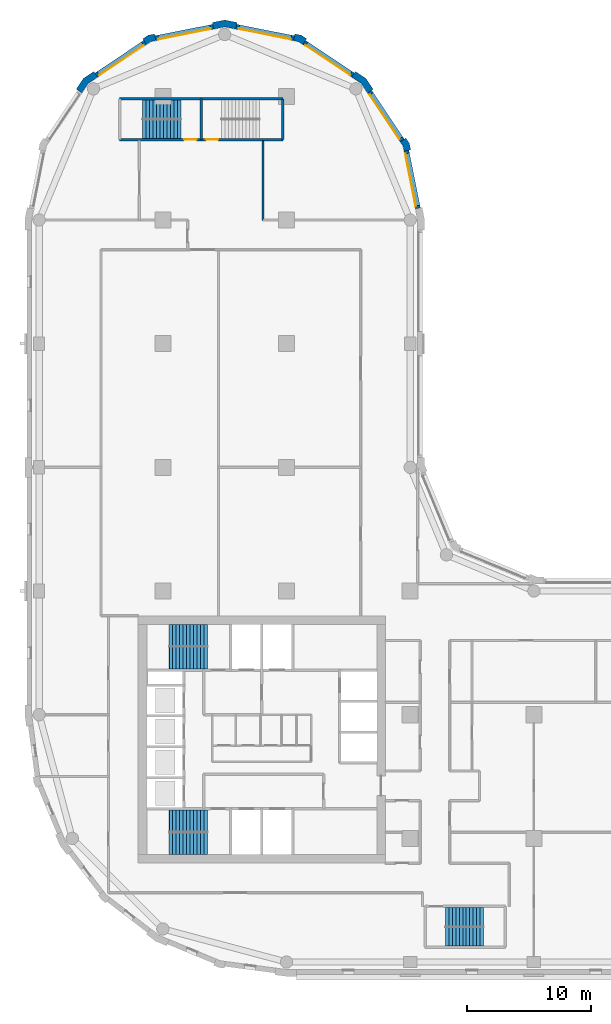
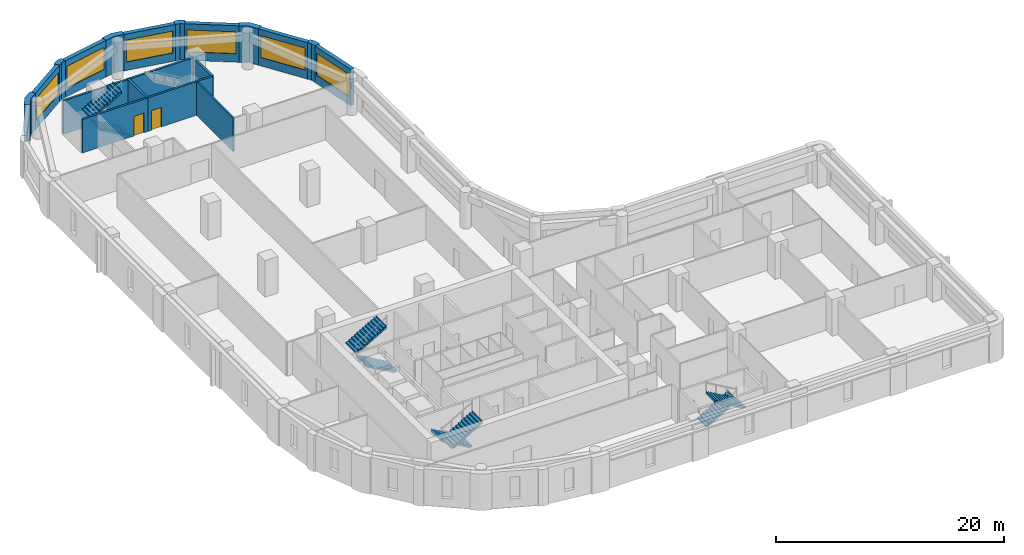
# One storey, part 7 of 10: 19 walls, 8 stair flights, 6 windows, 2 doors, 8 openings, 4 elements without a shape of their own.
"""IFC4 building model written with IfcOpenShell, lengths in metres."""

from ifc_helpers import new_model, si_unit, direction, frame, frame_2d, origin, place, context, subcontext, project, spatial, polyline, rectangle, outline, extrude, material, layer, layer_set, type_object, element, fill, aggregate, save


model = new_model("IFC4")

# Units and contexts
model_context = context("Model", 3, precision=1e-05, world=origin(), true_north=direction((0.0, 1.0)))
body_context = subcontext(model_context, "Body", "Model", "MODEL_VIEW")
ifc_project = project(units=[si_unit("LENGTHUNIT", "METRE"), si_unit("AREAUNIT", "SQUARE_METRE"), si_unit("VOLUMEUNIT", "CUBIC_METRE"), si_unit("PLANEANGLEUNIT", "RADIAN"), si_unit("MASSUNIT", "GRAM", prefix="KILO")], contexts=[model_context])

# Site, building, storey
site_placement = place(None, origin())
site = spatial("IfcSite", under=ifc_project, at=site_placement, CompositionType="ELEMENT")
building_placement = place(site_placement, origin())
building = spatial("IfcBuilding", under=site, at=building_placement, Name="Qaws Garden Tower", CompositionType="ELEMENT")
storey_placement = place(building_placement, frame((0.0, 0.0, 178.5)))
storey = spatial("IfcBuildingStorey", under=building, at=storey_placement, Name="L43", CompositionType="ELEMENT", Elevation=178.5)

# Wall, opening, window
ifc_material_1 = material(Name="Clay facing brick masonry", Category="masonry")
ifc_layer_1 = layer(ifc_material_1, 0.39990234375)
ifc_layer_set_1 = layer_set([ifc_layer_1], Name="Clay facing brick masonry")
wall_type_1 = type_object("IfcWallType", Name="Brick infill wall 400", PredefinedType="SOLIDWALL", material=ifc_layer_set_1)
wall_1_placement = place(storey_placement, frame((30.628662109375, 60.940673828125, 0.0), z_axis=(0.0, 0.0, 1.0), x_axis=(-0.195098533057, 0.98078364709, 0.0)))
wall_1 = element("IfcWall", 1, at=wall_1_placement, inside=storey, type_object=wall_type_1, Name="E-L43-infill-13", PredefinedType="SOLIDWALL", context=body_context, shape_type="SweptSolid", body=[
    extrude(rectangle(XDim=4.752685546875, YDim=0.39990234375, at=frame_2d((2.37646484375, 0.0))), origin(), (0.0, 0.0, 1.0), 3.89990234375),
])
opening_1_placement = place(wall_1_placement, frame((0.226318359375, 0.0, 0.89990234375)))
opening_1 = element("IfcOpeningElement", 2, at=opening_1_placement, cuts=wall_1, Name="Opening W06", PredefinedType="OPENING", context=body_context, shape_type="SweptSolid", body=[
    extrude(rectangle(XDim=4.300048828125, YDim=2.35009765625, at=frame_2d((2.14990234375, 1.175048828125))), frame((0.0, 0.2099609375, 0.0), z_axis=(0.0, -1.0, 0.0), x_axis=(1.0, 0.0, 0.0)), (0.0, 0.0, 1.0), 0.419921875),
])
ifc_material_2 = material(Name="Aluminium framed window, clear glazing", Category="aluminium")
window_type = type_object("IfcWindowType", Name="Ribbon window 4300 x 2350", PartitioningType="DOUBLE_PANEL_VERTICAL", PredefinedType="WINDOW", material=ifc_material_2)
window_1_placement = place(opening_1_placement, origin())
window_1 = element("IfcWindow", 3, at=window_1_placement, inside=storey, type_object=window_type, Name="E-L43-window-13-0", OverallHeight=2.35009765625, OverallWidth=4.300048828125, PartitioningType="SINGLE_PANEL", PredefinedType="WINDOW", context=body_context, shape_type="SweptSolid", body=[
    extrude(rectangle(XDim=4.300048828125, YDim=2.35009765625, at=frame_2d((2.14990234375, 1.175048828125))), frame((0.0, 0.159912109375, 0.0), z_axis=(0.0, -1.0, 0.0), x_axis=(1.0, 0.0, 0.0)), (0.0, 0.0, 1.0), 0.06005859375),
])
fill(opening_1, window_1)

wall_2_placement = place(storey_placement, frame((29.356689453125, 66.43408203125, 0.0), z_axis=(0.0, 0.0, 1.0), x_axis=(-0.555541552266, 0.831488775454, 0.0)))
wall_2 = element("IfcWall", 4, at=wall_2_placement, inside=storey, type_object=wall_type_1, Name="E-L43-infill-14", PredefinedType="SOLIDWALL", context=body_context, shape_type="SweptSolid", body=[
    extrude(rectangle(XDim=4.752685546875, YDim=0.39990234375, at=frame_2d((2.37646484375, 0.0))), origin(), (0.0, 0.0, 1.0), 3.89990234375),
])
opening_2_placement = place(wall_2_placement, frame((0.226318359375, 0.0, 0.89990234375)))
opening_2 = element("IfcOpeningElement", 5, at=opening_2_placement, cuts=wall_2, Name="Opening W06", PredefinedType="OPENING", context=body_context, shape_type="SweptSolid", body=[
    extrude(rectangle(XDim=4.300048828125, YDim=2.35009765625, at=frame_2d((2.14990234375, 1.175048828125))), frame((0.0, 0.2099609375, 0.0), z_axis=(0.0, -1.0, 0.0), x_axis=(1.0, 0.0, 0.0)), (0.0, 0.0, 1.0), 0.419921875),
])
window_2_placement = place(opening_2_placement, origin())
window_2 = element("IfcWindow", 6, at=window_2_placement, inside=storey, type_object=window_type, Name="E-L43-window-14-0", OverallHeight=2.35009765625, OverallWidth=4.300048828125, PartitioningType="SINGLE_PANEL", PredefinedType="WINDOW", context=body_context, shape_type="SweptSolid", body=[
    extrude(rectangle(XDim=4.300048828125, YDim=2.35009765625, at=frame_2d((2.14990234375, 1.175048828125))), frame((0.0, 0.159912109375, 0.0), z_axis=(0.0, -1.0, 0.0), x_axis=(1.0, 0.0, 0.0)), (0.0, 0.0, 1.0), 0.06005859375),
])
fill(opening_2, window_2)

wall_3_placement = place(storey_placement, frame((25.385986328125, 71.71630859375, 0.0), z_axis=(0.0, 0.0, 1.0), x_axis=(-0.831488775454, 0.555541552266, 0.0)))
wall_3 = element("IfcWall", 7, at=wall_3_placement, inside=storey, type_object=wall_type_1, Name="E-L43-infill-15", PredefinedType="SOLIDWALL", context=body_context, shape_type="SweptSolid", body=[
    extrude(rectangle(XDim=4.752685546875, YDim=0.39990234375, at=frame_2d((2.37646484375, 0.0))), origin(), (0.0, 0.0, 1.0), 3.89990234375),
])
opening_3_placement = place(wall_3_placement, frame((0.226318359375, 0.0, 0.89990234375)))
opening_3 = element("IfcOpeningElement", 8, at=opening_3_placement, cuts=wall_3, Name="Opening W06", PredefinedType="OPENING", context=body_context, shape_type="SweptSolid", body=[
    extrude(rectangle(XDim=4.300048828125, YDim=2.35009765625, at=frame_2d((2.14990234375, 1.175048828125))), frame((0.0, 0.2099609375, 0.0), z_axis=(0.0, -1.0, 0.0), x_axis=(1.0, 0.0, 0.0)), (0.0, 0.0, 1.0), 0.419921875),
])
window_3_placement = place(opening_3_placement, origin())
window_3 = element("IfcWindow", 9, at=window_3_placement, inside=storey, type_object=window_type, Name="E-L43-window-15-0", OverallHeight=2.35009765625, OverallWidth=4.300048828125, PartitioningType="SINGLE_PANEL", PredefinedType="WINDOW", context=body_context, shape_type="SweptSolid", body=[
    extrude(rectangle(XDim=4.300048828125, YDim=2.35009765625, at=frame_2d((2.14990234375, 1.175048828125))), frame((0.0, 0.159912109375, 0.0), z_axis=(0.0, -1.0, 0.0), x_axis=(1.0, 0.0, 0.0)), (0.0, 0.0, 1.0), 0.06005859375),
])
fill(opening_3, window_3)

wall_4_placement = place(storey_placement, frame((20.60205078125, 74.701416015625, 0.0), z_axis=(0.0, 0.0, 1.0), x_axis=(-0.98078364709, 0.195098533057, 0.0)))
wall_4 = element("IfcWall", 10, at=wall_4_placement, inside=storey, type_object=wall_type_1, Name="E-L43-infill-16", PredefinedType="SOLIDWALL", context=body_context, shape_type="SweptSolid", body=[
    extrude(rectangle(XDim=4.752685546875, YDim=0.39990234375, at=frame_2d((2.37646484375, 0.0))), origin(), (0.0, 0.0, 1.0), 3.89990234375),
])
opening_4_placement = place(wall_4_placement, frame((0.226318359375, 0.0, 0.89990234375)))
opening_4 = element("IfcOpeningElement", 11, at=opening_4_placement, cuts=wall_4, Name="Opening W06", PredefinedType="OPENING", context=body_context, shape_type="SweptSolid", body=[
    extrude(rectangle(XDim=4.300048828125, YDim=2.35009765625, at=frame_2d((2.14990234375, 1.175048828125))), frame((0.0, 0.2099609375, 0.0), z_axis=(0.0, -1.0, 0.0), x_axis=(1.0, 0.0, 0.0)), (0.0, 0.0, 1.0), 0.419921875),
])
window_4_placement = place(opening_4_placement, origin())
window_4 = element("IfcWindow", 12, at=window_4_placement, inside=storey, type_object=window_type, Name="E-L43-window-16-0", OverallHeight=2.35009765625, OverallWidth=4.300048828125, PartitioningType="SINGLE_PANEL", PredefinedType="WINDOW", context=body_context, shape_type="SweptSolid", body=[
    extrude(rectangle(XDim=4.300048828125, YDim=2.35009765625, at=frame_2d((2.14990234375, 1.175048828125))), frame((0.0, 0.159912109375, 0.0), z_axis=(0.0, -1.0, 0.0), x_axis=(1.0, 0.0, 0.0)), (0.0, 0.0, 1.0), 0.06005859375),
])
fill(opening_4, window_4)

wall_5_placement = place(storey_placement, frame((14.059326171875, 75.628662109375, 0.0), z_axis=(0.0, 0.0, 1.0), x_axis=(-0.98078364709, -0.195098533057, 0.0)))
wall_5 = element("IfcWall", 13, at=wall_5_placement, inside=storey, type_object=wall_type_1, Name="E-L43-infill-17", PredefinedType="SOLIDWALL", context=body_context, shape_type="SweptSolid", body=[
    extrude(rectangle(XDim=4.752685546875, YDim=0.39990234375, at=frame_2d((2.37646484375, 0.0))), origin(), (0.0, 0.0, 1.0), 3.89990234375),
])
opening_5_placement = place(wall_5_placement, frame((0.226318359375, 0.0, 0.89990234375)))
opening_5 = element("IfcOpeningElement", 14, at=opening_5_placement, cuts=wall_5, Name="Opening W06", PredefinedType="OPENING", context=body_context, shape_type="SweptSolid", body=[
    extrude(rectangle(XDim=4.300048828125, YDim=2.35009765625, at=frame_2d((2.14990234375, 1.175048828125))), frame((0.0, 0.2099609375, 0.0), z_axis=(0.0, -1.0, 0.0), x_axis=(1.0, 0.0, 0.0)), (0.0, 0.0, 1.0), 0.419921875),
])
window_5_placement = place(opening_5_placement, origin())
window_5 = element("IfcWindow", 15, at=window_5_placement, inside=storey, type_object=window_type, Name="E-L43-window-17-0", OverallHeight=2.35009765625, OverallWidth=4.300048828125, PartitioningType="SINGLE_PANEL", PredefinedType="WINDOW", context=body_context, shape_type="SweptSolid", body=[
    extrude(rectangle(XDim=4.300048828125, YDim=2.35009765625, at=frame_2d((2.14990234375, 1.175048828125))), frame((0.0, 0.159912109375, 0.0), z_axis=(0.0, -1.0, 0.0), x_axis=(1.0, 0.0, 0.0)), (0.0, 0.0, 1.0), 0.06005859375),
])
fill(opening_5, window_5)

wall_6_placement = place(storey_placement, frame((8.56591796875, 74.356689453125, 0.0), z_axis=(0.0, 0.0, 1.0), x_axis=(-0.831488775454, -0.555541552266, 0.0)))
wall_6 = element("IfcWall", 16, at=wall_6_placement, inside=storey, type_object=wall_type_1, Name="E-L43-infill-18", PredefinedType="SOLIDWALL", context=body_context, shape_type="SweptSolid", body=[
    extrude(rectangle(XDim=4.752685546875, YDim=0.39990234375, at=frame_2d((2.37646484375, 0.0))), origin(), (0.0, 0.0, 1.0), 3.89990234375),
])
opening_6_placement = place(wall_6_placement, frame((0.226318359375, 0.0, 0.89990234375)))
opening_6 = element("IfcOpeningElement", 17, at=opening_6_placement, cuts=wall_6, Name="Opening W06", PredefinedType="OPENING", context=body_context, shape_type="SweptSolid", body=[
    extrude(rectangle(XDim=4.300048828125, YDim=2.35009765625, at=frame_2d((2.14990234375, 1.175048828125))), frame((0.0, 0.2099609375, 0.0), z_axis=(0.0, -1.0, 0.0), x_axis=(1.0, 0.0, 0.0)), (0.0, 0.0, 1.0), 0.419921875),
])
window_6_placement = place(opening_6_placement, origin())
window_6 = element("IfcWindow", 18, at=window_6_placement, inside=storey, type_object=window_type, Name="E-L43-window-18-0", OverallHeight=2.35009765625, OverallWidth=4.300048828125, PartitioningType="SINGLE_PANEL", PredefinedType="WINDOW", context=body_context, shape_type="SweptSolid", body=[
    extrude(rectangle(XDim=4.300048828125, YDim=2.35009765625, at=frame_2d((2.14990234375, 1.175048828125))), frame((0.0, 0.159912109375, 0.0), z_axis=(0.0, -1.0, 0.0), x_axis=(1.0, 0.0, 0.0)), (0.0, 0.0, 1.0), 0.06005859375),
])
fill(opening_6, window_6)

# Walls
ifc_material_3 = material(Name="Clay facing brick masonry", Category="masonry")
ifc_layer_2 = layer(ifc_material_3, 0.550048828125)
ifc_layer_set_2 = layer_set([ifc_layer_2], Name="Clay facing brick masonry")
wall_type_2 = type_object("IfcWallType", Name="Brick kink pier 550 x 600", PredefinedType="SOLIDWALL", material=ifc_layer_set_2)
placement = place(storey_placement, origin())
element("IfcWall", 19, at=placement, inside=storey, type_object=wall_type_2, Name="E-L43-pier-14", PredefinedType="SOLIDWALL", context=body_context, shape_type="SweptSolid", body=[
    extrude(outline(polyline([(29.8974609375, 65.64111328125), (30.044677734375, 65.67041015625), (29.94140625, 66.18896484375), (29.647705078125, 66.628662109375), (29.52294921875, 66.545166015625), (29.1904296875, 66.322998046875), (29.42333984375, 65.974365234375), (29.505126953125, 65.56298828125), (29.8974609375, 65.64111328125)])), origin(), (0.0, 0.0, 1.0), 3.89990234375),
])
element("IfcWall", 20, at=placement, inside=storey, type_object=wall_type_2, Name="E-L43-pier-16", PredefinedType="SOLIDWALL", context=body_context, shape_type="SweptSolid", body=[
    extrude(outline(polyline([(21.545166015625, 74.52294921875), (21.628662109375, 74.647705078125), (21.18896484375, 74.94140625), (20.67041015625, 75.044677734375), (20.64111328125, 74.8974609375), (20.56298828125, 74.505126953125), (20.974365234375, 74.42333984375), (21.322998046875, 74.1904296875), (21.545166015625, 74.52294921875)])), origin(), (0.0, 0.0, 1.0), 3.89990234375),
])
element("IfcWall", 21, at=placement, inside=storey, type_object=wall_type_2, Name="E-L43-pier-18", PredefinedType="SOLIDWALL", context=body_context, shape_type="SweptSolid", body=[
    extrude(outline(polyline([(9.35888671875, 74.8974609375), (9.32958984375, 75.044677734375), (8.81103515625, 74.94140625), (8.371337890625, 74.647705078125), (8.454833984375, 74.52294921875), (8.677001953125, 74.1904296875), (9.025634765625, 74.42333984375), (9.43701171875, 74.505126953125), (9.35888671875, 74.8974609375)])), origin(), (0.0, 0.0, 1.0), 3.89990234375),
])
ifc_material_4 = material(Name="Clay facing brick masonry", Category="masonry")
ifc_layer_3 = layer(ifc_material_4, 0.550048828125)
ifc_layer_set_3 = layer_set([ifc_layer_3], Name="Clay facing brick masonry")
wall_type_3 = type_object("IfcWallType", Name="Brick pier 550 x 1600", PredefinedType="SOLIDWALL", material=ifc_layer_set_3)
element("IfcWall", 22, at=placement, inside=storey, type_object=wall_type_3, Name="E-L43-pier-15", PredefinedType="SOLIDWALL", context=body_context, shape_type="SweptSolid", body=[
    extrude(outline(polyline([(26.882568359375, 70.4970703125), (27.00732421875, 70.580322265625), (26.435791015625, 71.435791015625), (25.580322265625, 72.00732421875), (25.4970703125, 71.882568359375), (25.274658203125, 71.550048828125), (26.0390625, 71.0390625), (26.550048828125, 70.274658203125), (26.882568359375, 70.4970703125)])), origin(), (0.0, 0.0, 1.0), 3.89990234375),
])
element("IfcWall", 23, at=placement, inside=storey, type_object=wall_type_3, Name="E-L43-pier-17", PredefinedType="SOLIDWALL", context=body_context, shape_type="SweptSolid", body=[
    extrude(outline(polyline([(15.979736328125, 75.82470703125), (16.009033203125, 75.971923828125), (15.0, 76.172607421875), (13.990966796875, 75.971923828125), (14.020263671875, 75.82470703125), (14.098388671875, 75.432373046875), (15.0, 75.61181640625), (15.901611328125, 75.432373046875), (15.979736328125, 75.82470703125)])), origin(), (0.0, 0.0, 1.0), 3.89990234375),
])
element("IfcWall", 24, at=placement, inside=storey, type_object=wall_type_3, Name="E-L43-pier-19", PredefinedType="SOLIDWALL", context=body_context, shape_type="SweptSolid", body=[
    extrude(outline(polyline([(4.5029296875, 71.882568359375), (4.419677734375, 72.00732421875), (3.564208984375, 71.435791015625), (2.99267578125, 70.580322265625), (3.117431640625, 70.4970703125), (3.449951171875, 70.274658203125), (3.9609375, 71.0390625), (4.725341796875, 71.550048828125), (4.5029296875, 71.882568359375)])), origin(), (0.0, 0.0, 1.0), 3.89990234375),
])

# Wall, opening, door
ifc_material_5 = material(Name="Concrete C70", Category="concrete")
ifc_layer_4 = layer(ifc_material_5, 0.199951171875)
ifc_layer_set_4 = layer_set([ifc_layer_4], Name="Concrete C70")
wall_type_4 = type_object("IfcWallType", Name="Core shaft wall 200 C70", PredefinedType="SHEAR", material=ifc_layer_set_4)
wall_13_placement = place(storey_placement, frame((6.5, 66.5, 0.0), z_axis=(0.0, 0.0, 1.0), x_axis=(1.0, 0.0, 0.0)))
wall_13 = element("IfcWall", 25, at=wall_13_placement, inside=storey, type_object=wall_type_4, Name="Shaft wall", PredefinedType="SHEAR", context=body_context, shape_type="SweptSolid", body=[
    extrude(rectangle(XDim=6.60009765625, YDim=0.199951171875, at=frame_2d((3.300048828125, 0.0))), origin(), (0.0, 0.0, 1.0), 3.580078125),
])
opening_7_placement = place(wall_13_placement, frame((5.22509765625, 0.0, 0.0)))
opening_7 = element("IfcOpeningElement", 26, at=opening_7_placement, cuts=wall_13, Name="Opening SD13", PredefinedType="OPENING", context=body_context, shape_type="SweptSolid", body=[
    extrude(rectangle(XDim=1.0, YDim=2.10009765625, at=frame_2d((0.5, 1.050048828125))), frame((0.0, 0.10986328125, 0.0), z_axis=(0.0, -1.0, 0.0), x_axis=(1.0, 0.0, 0.0)), (0.0, 0.0, 1.0), 0.219970703125),
])
ifc_material_6 = material(Name="Steel S235", Category="steel")
door_type = type_object("IfcDoorType", Name="Stair door 1000x2100", OperationType="SINGLE_SWING_RIGHT", PredefinedType="DOOR", material=ifc_material_6)
door_1_placement = place(opening_7_placement, origin())
door_1 = element("IfcDoor", 27, at=door_1_placement, inside=storey, type_object=door_type, Name="Stair 6 door", OperationType="SINGLE_SWING_RIGHT", OverallHeight=2.10009765625, OverallWidth=1.0, PredefinedType="DOOR", context=body_context, shape_type="SweptSolid", body=[
    extrude(rectangle(XDim=1.0, YDim=2.10009765625, at=frame_2d((0.5, 1.050048828125))), frame((0.0, 0.02490234375, 0.0), z_axis=(0.0, -1.0, 0.0), x_axis=(1.0, 0.0, 0.0)), (0.0, 0.0, 1.0), 0.050048828125),
])
fill(opening_7, door_1)

wall_14_placement = place(storey_placement, frame((13.10009765625, 66.5, 0.0), z_axis=(0.0, 0.0, 1.0), x_axis=(1.0, 0.0, 0.0)))
wall_14 = element("IfcWall", 28, at=wall_14_placement, inside=storey, type_object=wall_type_4, Name="Shaft wall", PredefinedType="SHEAR", context=body_context, shape_type="SweptSolid", body=[
    extrude(rectangle(XDim=6.599853515625, YDim=0.199951171875, at=frame_2d((3.2998046875, 0.0))), origin(), (0.0, 0.0, 1.0), 3.580078125),
])
opening_8_placement = place(wall_14_placement, frame((0.375, 0.0, 0.0)))
opening_8 = element("IfcOpeningElement", 29, at=opening_8_placement, cuts=wall_14, Name="Opening SD14", PredefinedType="OPENING", context=body_context, shape_type="SweptSolid", body=[
    extrude(rectangle(XDim=1.0, YDim=2.10009765625, at=frame_2d((0.5, 1.050048828125))), frame((0.0, 0.10986328125, 0.0), z_axis=(0.0, -1.0, 0.0), x_axis=(1.0, 0.0, 0.0)), (0.0, 0.0, 1.0), 0.219970703125),
])
door_2_placement = place(opening_8_placement, origin())
door_2 = element("IfcDoor", 30, at=door_2_placement, inside=storey, type_object=door_type, Name="Stair 7 door", OperationType="SINGLE_SWING_LEFT", OverallHeight=2.10009765625, OverallWidth=1.0, PredefinedType="DOOR", context=body_context, shape_type="SweptSolid", body=[
    extrude(rectangle(XDim=1.0, YDim=2.10009765625, at=frame_2d((0.5, 1.050048828125))), frame((0.0, 0.02490234375, 0.0), z_axis=(0.0, -1.0, 0.0), x_axis=(1.0, 0.0, 0.0)), (0.0, 0.0, 1.0), 0.050048828125),
])
fill(opening_8, door_2)

# Walls
wall_15_placement = place(storey_placement, frame((6.5, 69.800048828125, 0.0), z_axis=(0.0, 0.0, 1.0), x_axis=(1.0, 0.0, 0.0)))
element("IfcWall", 31, at=wall_15_placement, inside=storey, type_object=wall_type_4, Name="Shaft wall", PredefinedType="SHEAR", context=body_context, shape_type="SweptSolid", body=[
    extrude(rectangle(XDim=6.60009765625, YDim=0.199951171875, at=frame_2d((3.300048828125, 0.0))), origin(), (0.0, 0.0, 1.0), 3.580078125),
])
wall_16_placement = place(storey_placement, frame((13.10009765625, 69.800048828125, 0.0), z_axis=(0.0, 0.0, 1.0), x_axis=(1.0, 0.0, 0.0)))
element("IfcWall", 32, at=wall_16_placement, inside=storey, type_object=wall_type_4, Name="Shaft wall", PredefinedType="SHEAR", context=body_context, shape_type="SweptSolid", body=[
    extrude(rectangle(XDim=6.599853515625, YDim=0.199951171875, at=frame_2d((3.2998046875, 0.0))), origin(), (0.0, 0.0, 1.0), 3.580078125),
])
for number, where, z_axis, x_axis, name in (
    (33, (13.10009765625, 66.5, 0.0), (0.0, 0.0, 1.0), (0.0, 1.0, 0.0), "Shaft wall"),
    (34, (19.699951171875, 66.5, 0.0), (0.0, 0.0, 1.0), (0.0, 1.0, 0.0), "Shaft wall"),
):
    element("IfcWall", number, at=place(storey_placement, frame(where, z_axis=z_axis, x_axis=x_axis)), inside=storey, type_object=wall_type_4, Name=name, PredefinedType="SHEAR", context=body_context, shape_type="SweptSolid", body=[
        extrude(rectangle(XDim=3.300048828125, YDim=0.199951171875, at=frame_2d((1.64990234375, 0.0))), origin(), (0.0, 0.0, 1.0), 3.580078125),
    ])
ifc_material_7 = material(Name="Gypsum board partition")
ifc_layer_5 = layer(ifc_material_7, 0.14990234375)
ifc_layer_set_5 = layer_set([ifc_layer_5], Name="Gypsum board partition")
wall_type_5 = type_object("IfcWallType", Name="PARTITION 150 EI 60", PredefinedType="PARTITIONING", material=ifc_layer_set_5)
wall_17_placement = place(storey_placement, frame((18.10009765625, 60.0, 0.0), z_axis=(0.0, 0.0, 1.0), x_axis=(0.0, 1.0, 0.0)))
element("IfcWall", 35, at=wall_17_placement, inside=storey, type_object=wall_type_5, Name="O-L43-wall-013", PredefinedType="PARTITIONING", context=body_context, shape_type="SweptSolid", body=[
    extrude(rectangle(XDim=6.39990234375, YDim=0.14990234375, at=frame_2d((3.199951171875, 0.0))), origin(), (0.0, 0.0, 1.0), 3.580078125),
])

# Stair, stair flights
ifc_material_8 = material(Name="Concrete C40", Category="concrete")
stair_type_1 = type_object("IfcStairType", Name="Exit stair 1350", PredefinedType="HALF_TURN_STAIR", material=ifc_material_8)
stair_1 = element("IfcStair", 36, at=placement, inside=storey, type_object=stair_type_1, Name="Stair 5", PredefinedType="HALF_TURN_STAIR")
ifc_material_9 = material(Name="Concrete C40", Category="concrete")
stair_flight_type_1 = type_object("IfcStairFlightType", Name="Stair flight 1350", PredefinedType="STRAIGHT", material=ifc_material_9)
stair_flight_1_placement = place(storey_placement, frame((32.85009765625, 3.625, 0.0), z_axis=(0.0, 0.0, 1.0), x_axis=(1.0, 0.0, 0.0)))
stair_flight_1 = element("IfcStairFlight", 37, at=stair_flight_1_placement, type_object=stair_flight_type_1, Name="ST5 flight 1", NumberOfRisers=12, NumberOfTreads=11, PredefinedType="STRAIGHT", RiserHeight=0.1625, TreadLength=0.28, context=body_context, shape_type="SweptSolid", body=[
    extrude(outline(polyline([(-0.0029296875, 0.0), (-0.0029296875, 0.16259765625), (0.0, 0.16259765625), (0.280029296875, 0.16259765625), (0.280029296875, 0.324951171875), (0.56005859375, 0.324951171875), (0.56005859375, 0.487548828125), (0.840087890625, 0.487548828125), (0.840087890625, 0.64990234375), (1.1201171875, 0.64990234375), (1.1201171875, 0.8125), (1.39990234375, 0.8125), (1.39990234375, 0.97509765625), (1.679931640625, 0.97509765625), (1.679931640625, 1.137451171875), (1.9599609375, 1.137451171875), (1.9599609375, 1.300048828125), (2.239990234375, 1.300048828125), (2.239990234375, 1.46240234375), (2.52001953125, 1.46240234375), (2.52001953125, 1.625), (2.800048828125, 1.625), (2.800048828125, 1.78759765625), (3.080078125, 1.78759765625), (3.080078125, 1.949951171875), (3.0830078125, 1.949951171875), (3.0830078125, 1.6142578125), (3.080078125, 1.6142578125), (0.298583984375, 0.0), (-0.0029296875, 0.0)])), frame((0.0, 0.77490234375, 0.0), z_axis=(0.0, -1.0, 0.0), x_axis=(1.0, 0.0, 0.0)), (0.0, 0.0, 1.0), 1.550048828125),
])
stair_flight_2_placement = place(storey_placement, frame((35.929931640625, 2.074951171875, 1.949951171875), z_axis=(0.0, 0.0, 1.0), x_axis=(-1.0, 0.0, 0.0)))
stair_flight_2 = element("IfcStairFlight", 38, at=stair_flight_2_placement, type_object=stair_flight_type_1, Name="ST5 flight 2", NumberOfRisers=12, NumberOfTreads=11, PredefinedType="STRAIGHT", RiserHeight=0.1625, TreadLength=0.28, context=body_context, shape_type="SweptSolid", body=[
    extrude(outline(polyline([(-0.0029296875, 0.0), (-0.0029296875, 0.16259765625), (0.0, 0.16259765625), (0.280029296875, 0.16259765625), (0.280029296875, 0.324951171875), (0.56005859375, 0.324951171875), (0.56005859375, 0.487548828125), (0.840087890625, 0.487548828125), (0.840087890625, 0.64990234375), (1.1201171875, 0.64990234375), (1.1201171875, 0.8125), (1.39990234375, 0.8125), (1.39990234375, 0.97509765625), (1.679931640625, 0.97509765625), (1.679931640625, 1.137451171875), (1.9599609375, 1.137451171875), (1.9599609375, 1.300048828125), (2.239990234375, 1.300048828125), (2.239990234375, 1.46240234375), (2.52001953125, 1.46240234375), (2.52001953125, 1.625), (2.800048828125, 1.625), (2.800048828125, 1.78759765625), (3.080078125, 1.78759765625), (3.080078125, 1.949951171875), (3.0830078125, 1.949951171875), (3.0830078125, 1.6142578125), (3.080078125, 1.6142578125), (0.298583984375, 0.0), (-0.0029296875, 0.0)])), frame((0.0, 0.77490234375, 0.0), z_axis=(0.0, -1.0, 0.0), x_axis=(1.0, 0.0, 0.0)), (0.0, 0.0, 1.0), 1.550048828125),
])
aggregate(stair_1, [stair_flight_1, stair_flight_2])

stair_2 = element("IfcStair", 39, at=placement, inside=storey, type_object=stair_type_1, Name="Stair 6", PredefinedType="HALF_TURN_STAIR")
stair_flight_3_placement = place(storey_placement, frame((11.449951171875, 67.375, 0.0), z_axis=(0.0, 0.0, 1.0), x_axis=(-1.0, 0.0, 0.0)))
stair_flight_3 = element("IfcStairFlight", 40, at=stair_flight_3_placement, type_object=stair_flight_type_1, Name="ST6 flight 1", NumberOfRisers=12, NumberOfTreads=11, PredefinedType="STRAIGHT", RiserHeight=0.1625, TreadLength=0.28, context=body_context, shape_type="SweptSolid", body=[
    extrude(outline(polyline([(-0.0029296875, 0.0), (-0.0029296875, 0.16259765625), (0.0, 0.16259765625), (0.280029296875, 0.16259765625), (0.280029296875, 0.324951171875), (0.56005859375, 0.324951171875), (0.56005859375, 0.487548828125), (0.840087890625, 0.487548828125), (0.840087890625, 0.64990234375), (1.1201171875, 0.64990234375), (1.1201171875, 0.8125), (1.39990234375, 0.8125), (1.39990234375, 0.97509765625), (1.679931640625, 0.97509765625), (1.679931640625, 1.137451171875), (1.9599609375, 1.137451171875), (1.9599609375, 1.300048828125), (2.239990234375, 1.300048828125), (2.239990234375, 1.46240234375), (2.52001953125, 1.46240234375), (2.52001953125, 1.625), (2.800048828125, 1.625), (2.800048828125, 1.78759765625), (3.080078125, 1.78759765625), (3.080078125, 1.949951171875), (3.0830078125, 1.949951171875), (3.0830078125, 1.6142578125), (3.080078125, 1.6142578125), (0.298583984375, 0.0), (-0.0029296875, 0.0)])), frame((0.0, 0.77490234375, 0.0), z_axis=(0.0, -1.0, 0.0), x_axis=(1.0, 0.0, 0.0)), (0.0, 0.0, 1.0), 1.550048828125),
])
stair_flight_4_placement = place(storey_placement, frame((8.3701171875, 68.925048828125, 1.949951171875), z_axis=(0.0, 0.0, 1.0), x_axis=(1.0, 0.0, 0.0)))
stair_flight_4 = element("IfcStairFlight", 41, at=stair_flight_4_placement, type_object=stair_flight_type_1, Name="ST6 flight 2", NumberOfRisers=12, NumberOfTreads=11, PredefinedType="STRAIGHT", RiserHeight=0.1625, TreadLength=0.28, context=body_context, shape_type="SweptSolid", body=[
    extrude(outline(polyline([(-0.0029296875, 0.0), (-0.0029296875, 0.16259765625), (0.0, 0.16259765625), (0.280029296875, 0.16259765625), (0.280029296875, 0.324951171875), (0.56005859375, 0.324951171875), (0.56005859375, 0.487548828125), (0.840087890625, 0.487548828125), (0.840087890625, 0.64990234375), (1.1201171875, 0.64990234375), (1.1201171875, 0.8125), (1.39990234375, 0.8125), (1.39990234375, 0.97509765625), (1.679931640625, 0.97509765625), (1.679931640625, 1.137451171875), (1.9599609375, 1.137451171875), (1.9599609375, 1.300048828125), (2.239990234375, 1.300048828125), (2.239990234375, 1.46240234375), (2.52001953125, 1.46240234375), (2.52001953125, 1.625), (2.800048828125, 1.625), (2.800048828125, 1.78759765625), (3.080078125, 1.78759765625), (3.080078125, 1.949951171875), (3.0830078125, 1.949951171875), (3.0830078125, 1.6142578125), (3.080078125, 1.6142578125), (0.298583984375, 0.0), (-0.0029296875, 0.0)])), frame((0.0, 0.77490234375, 0.0), z_axis=(0.0, -1.0, 0.0), x_axis=(1.0, 0.0, 0.0)), (0.0, 0.0, 1.0), 1.550048828125),
])
aggregate(stair_2, [stair_flight_3, stair_flight_4])

ifc_material_10 = material(Name="Concrete C40", Category="concrete")
stair_type_2 = type_object("IfcStairType", Name="Exit stair 1500", PredefinedType="HALF_TURN_STAIR", material=ifc_material_10)
stair_3 = element("IfcStair", 42, at=placement, inside=storey, type_object=stair_type_2, Name="Stair 1", PredefinedType="HALF_TURN_STAIR")
ifc_material_11 = material(Name="Concrete C40", Category="concrete")
stair_flight_type_2 = type_object("IfcStairFlightType", Name="Stair flight 1500", PredefinedType="STRAIGHT", material=ifc_material_11)
stair_flight_5_placement = place(storey_placement, frame((13.60009765625, 11.39990234375, 0.0), z_axis=(0.0, 0.0, 1.0), x_axis=(-1.0, 0.0, 0.0)))
stair_flight_5 = element("IfcStairFlight", 43, at=stair_flight_5_placement, type_object=stair_flight_type_2, Name="ST1 flight 1", NumberOfRisers=12, NumberOfTreads=11, PredefinedType="STRAIGHT", RiserHeight=0.1625, TreadLength=0.28, context=body_context, shape_type="SweptSolid", body=[
    extrude(outline(polyline([(-0.0029296875, 0.0), (-0.0029296875, 0.16259765625), (0.0, 0.16259765625), (0.280029296875, 0.16259765625), (0.280029296875, 0.324951171875), (0.56005859375, 0.324951171875), (0.56005859375, 0.487548828125), (0.840087890625, 0.487548828125), (0.840087890625, 0.64990234375), (1.1201171875, 0.64990234375), (1.1201171875, 0.8125), (1.39990234375, 0.8125), (1.39990234375, 0.97509765625), (1.679931640625, 0.97509765625), (1.679931640625, 1.137451171875), (1.9599609375, 1.137451171875), (1.9599609375, 1.300048828125), (2.239990234375, 1.300048828125), (2.239990234375, 1.46240234375), (2.52001953125, 1.46240234375), (2.52001953125, 1.625), (2.800048828125, 1.625), (2.800048828125, 1.78759765625), (3.080078125, 1.78759765625), (3.080078125, 1.949951171875), (3.0830078125, 1.949951171875), (3.0830078125, 1.6142578125), (3.080078125, 1.6142578125), (0.298583984375, 0.0), (-0.0029296875, 0.0)])), frame((0.0, 0.89990234375, 0.0), z_axis=(0.0, -1.0, 0.0), x_axis=(1.0, 0.0, 0.0)), (0.0, 0.0, 1.0), 1.800048828125),
])
stair_flight_6_placement = place(storey_placement, frame((10.52001953125, 9.60009765625, 1.949951171875), z_axis=(0.0, 0.0, 1.0), x_axis=(1.0, 0.0, 0.0)))
stair_flight_6 = element("IfcStairFlight", 44, at=stair_flight_6_placement, type_object=stair_flight_type_2, Name="ST1 flight 2", NumberOfRisers=12, NumberOfTreads=11, PredefinedType="STRAIGHT", RiserHeight=0.1625, TreadLength=0.28, context=body_context, shape_type="SweptSolid", body=[
    extrude(outline(polyline([(-0.0029296875, 0.0), (-0.0029296875, 0.16259765625), (0.0, 0.16259765625), (0.280029296875, 0.16259765625), (0.280029296875, 0.324951171875), (0.56005859375, 0.324951171875), (0.56005859375, 0.487548828125), (0.840087890625, 0.487548828125), (0.840087890625, 0.64990234375), (1.1201171875, 0.64990234375), (1.1201171875, 0.8125), (1.39990234375, 0.8125), (1.39990234375, 0.97509765625), (1.679931640625, 0.97509765625), (1.679931640625, 1.137451171875), (1.9599609375, 1.137451171875), (1.9599609375, 1.300048828125), (2.239990234375, 1.300048828125), (2.239990234375, 1.46240234375), (2.52001953125, 1.46240234375), (2.52001953125, 1.625), (2.800048828125, 1.625), (2.800048828125, 1.78759765625), (3.080078125, 1.78759765625), (3.080078125, 1.949951171875), (3.0830078125, 1.949951171875), (3.0830078125, 1.6142578125), (3.080078125, 1.6142578125), (0.298583984375, 0.0), (-0.0029296875, 0.0)])), frame((0.0, 0.89990234375, 0.0), z_axis=(0.0, -1.0, 0.0), x_axis=(1.0, 0.0, 0.0)), (0.0, 0.0, 1.0), 1.800048828125),
])
aggregate(stair_3, [stair_flight_5, stair_flight_6])

stair_4 = element("IfcStair", 45, at=placement, inside=storey, type_object=stair_type_2, Name="Stair 4", PredefinedType="HALF_TURN_STAIR")
stair_flight_7_placement = place(storey_placement, frame((13.60009765625, 24.60009765625, 0.0), z_axis=(0.0, 0.0, 1.0), x_axis=(-1.0, 0.0, 0.0)))
stair_flight_7 = element("IfcStairFlight", 46, at=stair_flight_7_placement, type_object=stair_flight_type_2, Name="ST4 flight 1", NumberOfRisers=12, NumberOfTreads=11, PredefinedType="STRAIGHT", RiserHeight=0.1625, TreadLength=0.28, context=body_context, shape_type="SweptSolid", body=[
    extrude(outline(polyline([(-0.0029296875, 0.0), (-0.0029296875, 0.16259765625), (0.0, 0.16259765625), (0.280029296875, 0.16259765625), (0.280029296875, 0.324951171875), (0.56005859375, 0.324951171875), (0.56005859375, 0.487548828125), (0.840087890625, 0.487548828125), (0.840087890625, 0.64990234375), (1.1201171875, 0.64990234375), (1.1201171875, 0.8125), (1.39990234375, 0.8125), (1.39990234375, 0.97509765625), (1.679931640625, 0.97509765625), (1.679931640625, 1.137451171875), (1.9599609375, 1.137451171875), (1.9599609375, 1.300048828125), (2.239990234375, 1.300048828125), (2.239990234375, 1.46240234375), (2.52001953125, 1.46240234375), (2.52001953125, 1.625), (2.800048828125, 1.625), (2.800048828125, 1.78759765625), (3.080078125, 1.78759765625), (3.080078125, 1.949951171875), (3.0830078125, 1.949951171875), (3.0830078125, 1.6142578125), (3.080078125, 1.6142578125), (0.298583984375, 0.0), (-0.0029296875, 0.0)])), frame((0.0, 0.89501953125, 0.0), z_axis=(0.0, -1.0, 0.0), x_axis=(1.0, 0.0, 0.0)), (0.0, 0.0, 1.0), 1.7900390625),
])
stair_flight_8_placement = place(storey_placement, frame((10.52001953125, 26.39990234375, 1.949951171875), z_axis=(0.0, 0.0, 1.0), x_axis=(1.0, 0.0, 0.0)))
stair_flight_8 = element("IfcStairFlight", 47, at=stair_flight_8_placement, type_object=stair_flight_type_2, Name="ST4 flight 2", NumberOfRisers=12, NumberOfTreads=11, PredefinedType="STRAIGHT", RiserHeight=0.1625, TreadLength=0.28, context=body_context, shape_type="SweptSolid", body=[
    extrude(outline(polyline([(-0.0029296875, 0.0), (-0.0029296875, 0.16259765625), (0.0, 0.16259765625), (0.280029296875, 0.16259765625), (0.280029296875, 0.324951171875), (0.56005859375, 0.324951171875), (0.56005859375, 0.487548828125), (0.840087890625, 0.487548828125), (0.840087890625, 0.64990234375), (1.1201171875, 0.64990234375), (1.1201171875, 0.8125), (1.39990234375, 0.8125), (1.39990234375, 0.97509765625), (1.679931640625, 0.97509765625), (1.679931640625, 1.137451171875), (1.9599609375, 1.137451171875), (1.9599609375, 1.300048828125), (2.239990234375, 1.300048828125), (2.239990234375, 1.46240234375), (2.52001953125, 1.46240234375), (2.52001953125, 1.625), (2.800048828125, 1.625), (2.800048828125, 1.78759765625), (3.080078125, 1.78759765625), (3.080078125, 1.949951171875), (3.0830078125, 1.949951171875), (3.0830078125, 1.6142578125), (3.080078125, 1.6142578125), (0.298583984375, 0.0), (-0.0029296875, 0.0)])), frame((0.0, 0.89501953125, 0.0), z_axis=(0.0, -1.0, 0.0), x_axis=(1.0, 0.0, 0.0)), (0.0, 0.0, 1.0), 1.7900390625),
])
aggregate(stair_4, [stair_flight_7, stair_flight_8])

save(model, "model.ifc")
